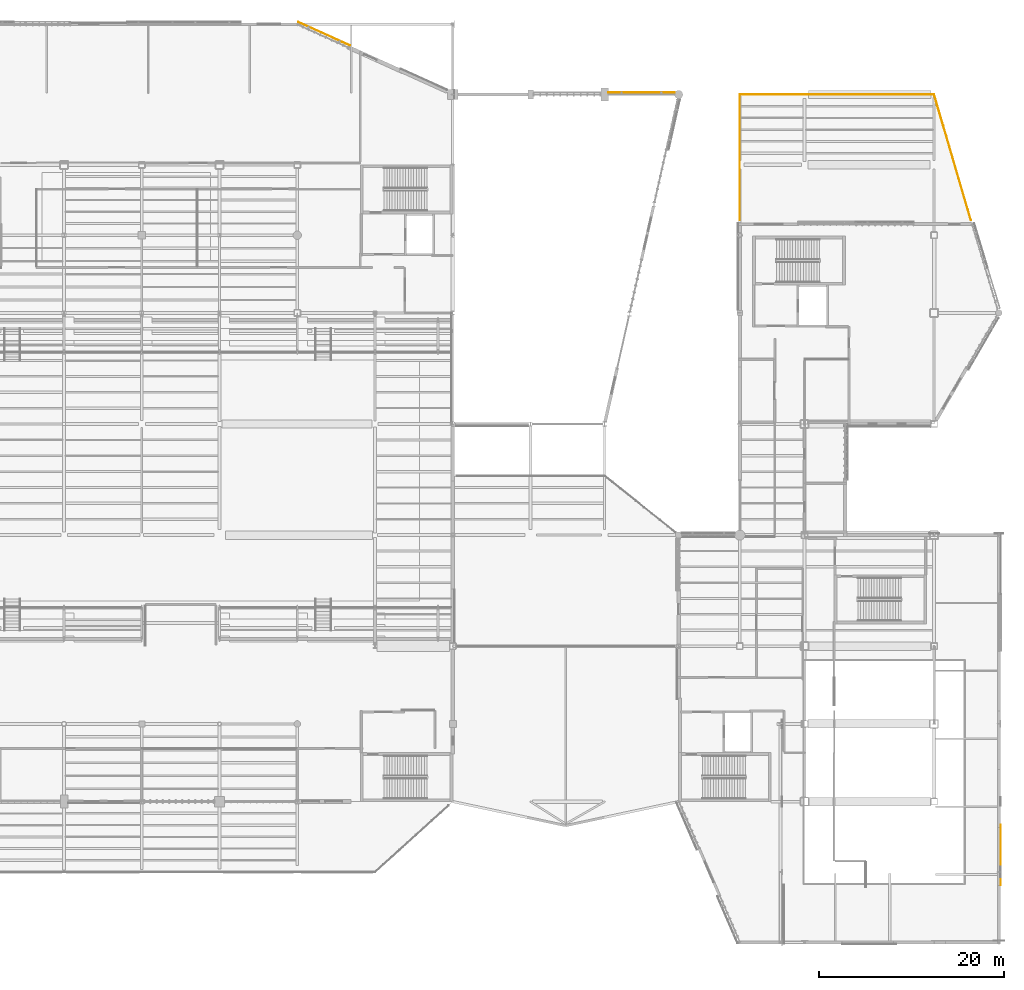
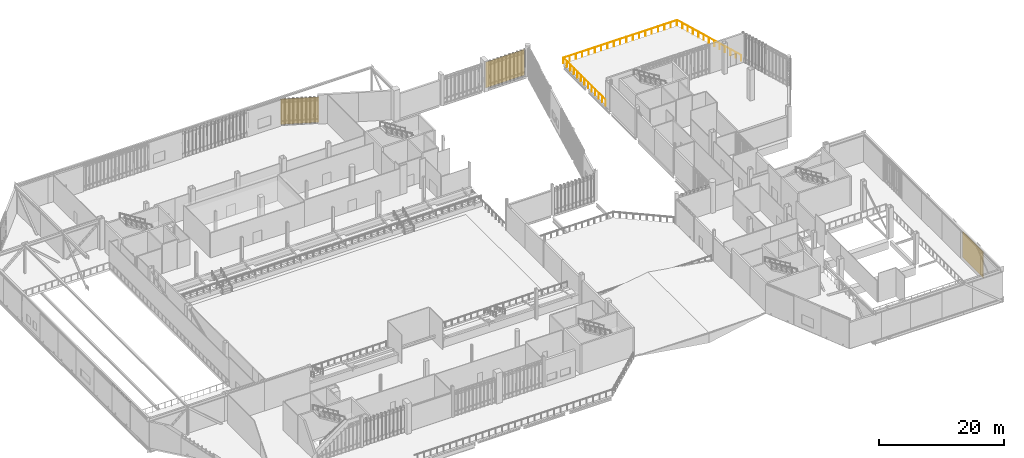
# One storey, part 133 of 135: 2 shading devices, 1 covering, 1 railing.
"""IFC4 building model written with IfcOpenShell, lengths in metres."""

from ifc_helpers import new_model, si_unit, direction, frame, origin, origin_2d, place, context, subcontext, project, spatial, rectangle, circle, extrude, material, layer, layer_set, type_object, element, save


model = new_model("IFC4")

# Units and contexts
model_context = context("Model", 3, precision=1e-05, world=origin(), true_north=direction((0.0, 1.0)))
body_context = subcontext(model_context, "Body", "Model", "MODEL_VIEW")
ifc_project = project(units=[si_unit("LENGTHUNIT", "METRE"), si_unit("AREAUNIT", "SQUARE_METRE"), si_unit("VOLUMEUNIT", "CUBIC_METRE"), si_unit("PLANEANGLEUNIT", "RADIAN"), si_unit("MASSUNIT", "GRAM", prefix="KILO")], contexts=[model_context])

# Site, building, storey
site_placement = place(None, origin())
site = spatial("IfcSite", under=ifc_project, at=site_placement, CompositionType="ELEMENT")
building_placement = place(site_placement, origin())
building = spatial("IfcBuilding", under=site, at=building_placement, Name="Larkvane Passage Sports Hall", CompositionType="ELEMENT")
storey_placement = place(building_placement, frame((0.0, 0.0, 10.800048828125)))
storey = spatial("IfcBuildingStorey", under=building, at=storey_placement, Name="L02", CompositionType="ELEMENT", Elevation=10.800048828125)

# Covering
ifc_material_1 = material(Name="Perforated anodised aluminium 5052-H32", Category="aluminium")
ifc_layer_1 = layer(ifc_material_1, 0.050048828125)
ifc_layer_set_1 = layer_set([ifc_layer_1], Name="Perforated anodised aluminium 5052-H32")
covering_type = type_object("IfcCoveringType", Name="COV-MESH-VEIL", PredefinedType="CLADDING", material=ifc_layer_set_1)
covering_placement = place(storey_placement, frame((152.797607421875, 17.028564453125, 0.0751953125), z_axis=(0.0, 0.0, 1.0), x_axis=(0.0, -1.0, 0.0)))
element("IfcCovering", 1, at=covering_placement, inside=storey, type_object=covering_type, Name="Perforated cladding cassette L02-124", PredefinedType="CLADDING", context=body_context, shape_type="SweptSolid", body=[
    extrude(rectangle(XDim=6.516845703125, YDim=0.050048828125, at=origin_2d()), origin(), (0.0, 0.0, 1.0), 5.117919921875),
])

# Railing
ifc_material_2 = material(Name="Steel S355JR", Category="steel")
railing_type = type_object("IfcRailingType", Name="RL-GUARD-1120", PredefinedType="GUARDRAIL", material=ifc_material_2)
railing_placement = place(storey_placement, frame((149.576904296875, 85.6201171875, 0.0)))
element("IfcRailing", 2, at=railing_placement, inside=storey, type_object=railing_type, Name="Terrace perimeter guardrail L02-006", PredefinedType="GUARDRAIL", context=body_context, shape_type="SweptSolid", body=[
    extrude(circle(Radius=0.02392578125, at=origin_2d()), frame((-0.00048828125, 0.001953125, 1.09619140625), z_axis=(-0.281043330236, 0.959695079976, 0.0), x_axis=(-0.959695079976, -0.281043330236, 0.0)), (0.0, 0.0, 1.0), 14.146240234375),
    extrude(circle(Radius=0.02392578125, at=origin_2d()), frame((-3.978759765625, 13.579833984375, 1.09619140625), z_axis=(-1.0, 0.0, 0.0), x_axis=(0.0, -1.0, 0.0)), (0.0, 0.0, 1.0), 20.99609375),
    extrude(circle(Radius=0.02392578125, at=origin_2d()), frame((-24.976806640625, 13.577880859375, 1.09619140625), z_axis=(0.0, -1.0, 0.0), x_axis=(1.0, 0.0, 0.0)), (0.0, 0.0, 1.0), 13.575927734375),
    extrude(circle(Radius=0.02099609375, at=origin_2d()), origin(), (0.0, 0.0, 1.0), 1.072021484375),
    extrude(circle(Radius=0.02099609375, at=origin_2d()), frame((-0.331298828125, 1.131591796875, 0.0)), (0.0, 0.0, 1.0), 1.072021484375),
    extrude(circle(Radius=0.02099609375, at=origin_2d()), frame((-0.662841796875, 2.26318359375, 0.0)), (0.0, 0.0, 1.0), 1.072021484375),
    extrude(circle(Radius=0.02099609375, at=origin_2d()), frame((-0.994140625, 3.39501953125, 0.0)), (0.0, 0.0, 1.0), 1.072021484375),
    extrude(circle(Radius=0.02099609375, at=origin_2d()), frame((-1.32568359375, 4.526611328125, 0.0)), (0.0, 0.0, 1.0), 1.072021484375),
    extrude(circle(Radius=0.02099609375, at=origin_2d()), frame((-1.656982421875, 5.658203125, 0.0)), (0.0, 0.0, 1.0), 1.072021484375),
    extrude(circle(Radius=0.02099609375, at=origin_2d()), frame((-1.98828125, 6.7900390625, 0.0)), (0.0, 0.0, 1.0), 1.072021484375),
    extrude(circle(Radius=0.02099609375, at=origin_2d()), frame((-2.31982421875, 7.921630859375, 0.0)), (0.0, 0.0, 1.0), 1.072021484375),
    extrude(circle(Radius=0.02099609375, at=origin_2d()), frame((-2.651123046875, 9.05322265625, 0.0)), (0.0, 0.0, 1.0), 1.072021484375),
    extrude(circle(Radius=0.02099609375, at=origin_2d()), frame((-2.982666015625, 10.184814453125, 0.0)), (0.0, 0.0, 1.0), 1.072021484375),
    extrude(circle(Radius=0.02099609375, at=origin_2d()), frame((-3.31396484375, 11.31640625, 0.0)), (0.0, 0.0, 1.0), 1.072021484375),
    extrude(circle(Radius=0.02099609375, at=origin_2d()), frame((-3.6455078125, 12.4482421875, 0.0)), (0.0, 0.0, 1.0), 1.072021484375),
    extrude(circle(Radius=0.02099609375, at=origin_2d()), frame((-3.976806640625, 13.579833984375, 0.0)), (0.0, 0.0, 1.0), 1.072021484375),
    extrude(circle(Radius=0.02099609375, at=origin_2d()), frame((-5.1435546875, 13.579833984375, 0.0)), (0.0, 0.0, 1.0), 1.072021484375),
    extrude(circle(Radius=0.02099609375, at=origin_2d()), frame((-6.31005859375, 13.579833984375, 0.0)), (0.0, 0.0, 1.0), 1.072021484375),
    extrude(circle(Radius=0.02099609375, at=origin_2d()), frame((-7.476806640625, 13.579833984375, 0.0)), (0.0, 0.0, 1.0), 1.072021484375),
    extrude(circle(Radius=0.02099609375, at=origin_2d()), frame((-8.6435546875, 13.579833984375, 0.0)), (0.0, 0.0, 1.0), 1.072021484375),
    extrude(circle(Radius=0.02099609375, at=origin_2d()), frame((-9.81005859375, 13.579833984375, 0.0)), (0.0, 0.0, 1.0), 1.072021484375),
    extrude(circle(Radius=0.02099609375, at=origin_2d()), frame((-10.976806640625, 13.579833984375, 0.0)), (0.0, 0.0, 1.0), 1.072021484375),
    extrude(circle(Radius=0.02099609375, at=origin_2d()), frame((-12.1435546875, 13.579833984375, 0.0)), (0.0, 0.0, 1.0), 1.072021484375),
    extrude(circle(Radius=0.02099609375, at=origin_2d()), frame((-13.31005859375, 13.579833984375, 0.0)), (0.0, 0.0, 1.0), 1.072021484375),
    extrude(circle(Radius=0.02099609375, at=origin_2d()), frame((-14.476806640625, 13.579833984375, 0.0)), (0.0, 0.0, 1.0), 1.072021484375),
    extrude(circle(Radius=0.02099609375, at=origin_2d()), frame((-15.6435546875, 13.579833984375, 0.0)), (0.0, 0.0, 1.0), 1.072021484375),
    extrude(circle(Radius=0.02099609375, at=origin_2d()), frame((-16.81005859375, 13.579833984375, 0.0)), (0.0, 0.0, 1.0), 1.072021484375),
    extrude(circle(Radius=0.02099609375, at=origin_2d()), frame((-17.976806640625, 13.579833984375, 0.0)), (0.0, 0.0, 1.0), 1.072021484375),
    extrude(circle(Radius=0.02099609375, at=origin_2d()), frame((-19.1435546875, 13.579833984375, 0.0)), (0.0, 0.0, 1.0), 1.072021484375),
    extrude(circle(Radius=0.02099609375, at=origin_2d()), frame((-20.31005859375, 13.579833984375, 0.0)), (0.0, 0.0, 1.0), 1.072021484375),
    extrude(circle(Radius=0.02099609375, at=origin_2d()), frame((-21.476806640625, 13.579833984375, 0.0)), (0.0, 0.0, 1.0), 1.072021484375),
    extrude(circle(Radius=0.02099609375, at=origin_2d()), frame((-22.6435546875, 13.579833984375, 0.0)), (0.0, 0.0, 1.0), 1.072021484375),
    extrude(circle(Radius=0.02099609375, at=origin_2d()), frame((-23.81005859375, 13.579833984375, 0.0)), (0.0, 0.0, 1.0), 1.072021484375),
    extrude(circle(Radius=0.02099609375, at=origin_2d()), frame((-24.976806640625, 13.579833984375, 0.0)), (0.0, 0.0, 1.0), 1.072021484375),
    extrude(circle(Radius=0.02099609375, at=origin_2d()), frame((-24.976806640625, 12.4482421875, 0.0)), (0.0, 0.0, 1.0), 1.072021484375),
    extrude(circle(Radius=0.02099609375, at=origin_2d()), frame((-24.976806640625, 11.31640625, 0.0)), (0.0, 0.0, 1.0), 1.072021484375),
    extrude(circle(Radius=0.02099609375, at=origin_2d()), frame((-24.976806640625, 10.184814453125, 0.0)), (0.0, 0.0, 1.0), 1.072021484375),
    extrude(circle(Radius=0.02099609375, at=origin_2d()), frame((-24.976806640625, 9.05322265625, 0.0)), (0.0, 0.0, 1.0), 1.072021484375),
    extrude(circle(Radius=0.02099609375, at=origin_2d()), frame((-24.976806640625, 7.921630859375, 0.0)), (0.0, 0.0, 1.0), 1.072021484375),
    extrude(circle(Radius=0.02099609375, at=origin_2d()), frame((-24.976806640625, 6.7900390625, 0.0)), (0.0, 0.0, 1.0), 1.072021484375),
    extrude(circle(Radius=0.02099609375, at=origin_2d()), frame((-24.976806640625, 5.658203125, 0.0)), (0.0, 0.0, 1.0), 1.072021484375),
    extrude(circle(Radius=0.02099609375, at=origin_2d()), frame((-24.976806640625, 4.526611328125, 0.0)), (0.0, 0.0, 1.0), 1.072021484375),
    extrude(circle(Radius=0.02099609375, at=origin_2d()), frame((-24.976806640625, 3.39501953125, 0.0)), (0.0, 0.0, 1.0), 1.072021484375),
    extrude(circle(Radius=0.02099609375, at=origin_2d()), frame((-24.976806640625, 2.26318359375, 0.0)), (0.0, 0.0, 1.0), 1.072021484375),
    extrude(circle(Radius=0.02099609375, at=origin_2d()), frame((-24.976806640625, 1.131591796875, 0.0)), (0.0, 0.0, 1.0), 1.072021484375),
    extrude(circle(Radius=0.02099609375, at=origin_2d()), frame((-24.976806640625, 0.0, 0.0)), (0.0, 0.0, 1.0), 1.072021484375),
])

# Shading devices
ifc_layer_2 = layer(ifc_material_1, 0.06005859375)
ifc_layer_set_2 = layer_set([ifc_layer_2], Name="Perforated anodised aluminium 5052-H32")
shading_device_type = type_object("IfcShadingDeviceType", Name="SHD-VEIL-PERF", PredefinedType="SHUTTER", material=ifc_layer_set_2)
shading_device_1_placement = place(storey_placement, frame((79.698974609375, 105.751953125, 0.06005859375), z_axis=(0.0, 0.0, 1.0), x_axis=(0.911107922836, -0.41216786986, 0.0)))
element("IfcShadingDevice", 3, at=shading_device_1_placement, inside=storey, type_object=shading_device_type, Name="Solar veil screen L02-056", PredefinedType="SHUTTER", context=body_context, shape_type="SweptSolid", body=[
    extrude(rectangle(XDim=6.146484375, YDim=0.06005859375, at=origin_2d()), origin(), (0.0, 0.0, 1.0), 4.9599609375),
])
shading_device_2_placement = place(storey_placement, frame((113.97509765625, 99.43994140625, 0.06005859375), z_axis=(0.0, 0.0, 1.0), x_axis=(1.0, 0.0, 0.0)))
element("IfcShadingDevice", 4, at=shading_device_2_placement, inside=storey, type_object=shading_device_type, Name="Solar veil screen L02-058", PredefinedType="SHUTTER", context=body_context, shape_type="SweptSolid", body=[
    extrude(rectangle(XDim=7.157958984375, YDim=0.06005859375, at=origin_2d()), origin(), (0.0, 0.0, 1.0), 5.028076171875),
])

save(model, "model.ifc")
